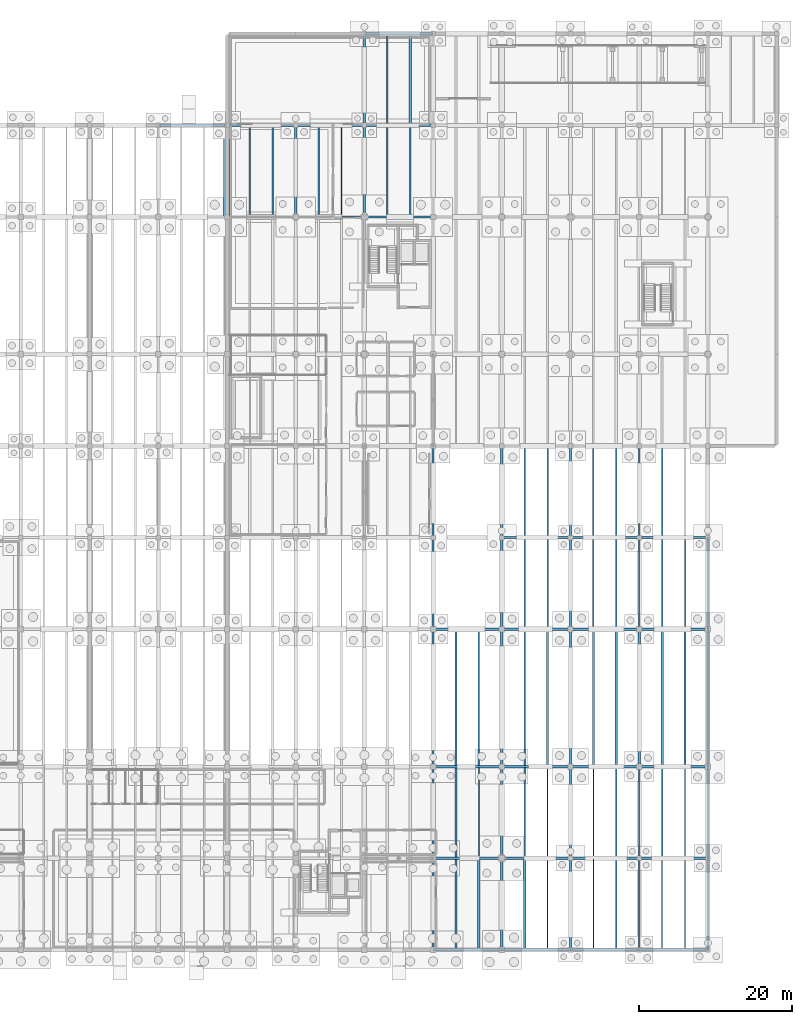
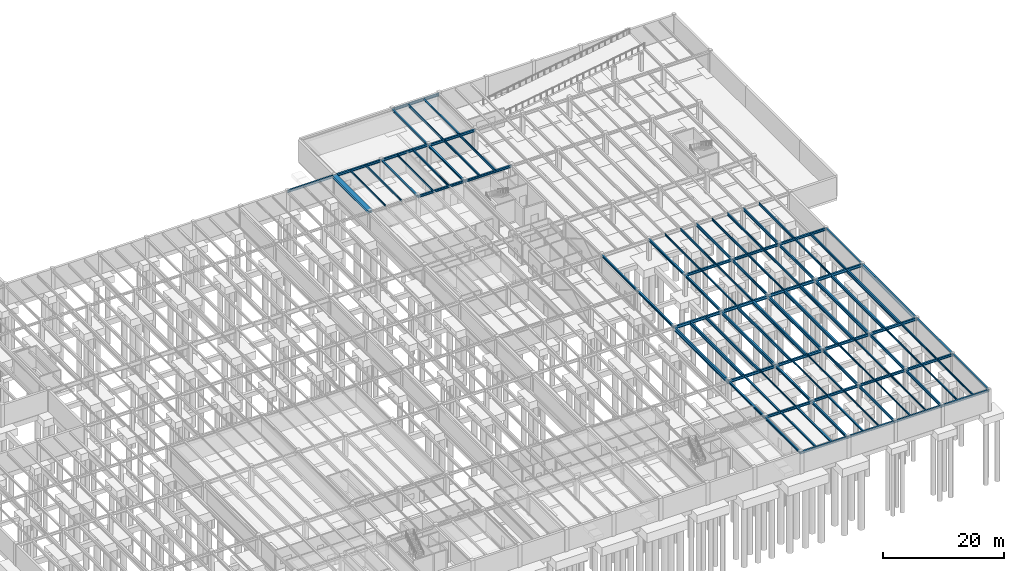
# One storey, part 19 of 40: 97 beams.
"""IFC4 building model written with IfcOpenShell, lengths in metres."""

from ifc_helpers import new_model, si_unit, direction, frame, origin, origin_2d, place, context, subcontext, project, spatial, i_section, extrude, material, material_profile, profile_set, type_object, element, save


model = new_model("IFC4")

# Units and contexts
model_context = context("Model", 3, precision=1e-05, world=origin(), true_north=direction((0.0, 1.0)))
body_context = subcontext(model_context, "Body", "Model", "MODEL_VIEW")
ifc_project = project(units=[si_unit("LENGTHUNIT", "METRE"), si_unit("AREAUNIT", "SQUARE_METRE"), si_unit("VOLUMEUNIT", "CUBIC_METRE"), si_unit("PLANEANGLEUNIT", "RADIAN"), si_unit("MASSUNIT", "GRAM", prefix="KILO")], contexts=[model_context])

# Site, building, storey
site_placement = place(None, origin())
site = spatial("IfcSite", under=ifc_project, at=site_placement, CompositionType="ELEMENT")
building_placement = place(site_placement, origin())
building = spatial("IfcBuilding", under=site, at=building_placement, Name="Montelvaro Courts of Justice", CompositionType="ELEMENT")
storey_placement = place(building_placement, frame((0.0, 0.0, -4.5)))
storey = spatial("IfcBuildingStorey", under=building, at=storey_placement, Name="B01", CompositionType="ELEMENT", Elevation=-4.5)

# Beams
ifc_material = material(Name="Steel S355", Category="steel")
ifc_material_profile_1 = material_profile(ifc_material, i_section(OverallWidth=0.280029296875, OverallDepth=0.27001953125, WebThickness=0.008056640625, FlangeThickness=0.012939453125, at=origin_2d()), Name="HEA 280")
ifc_profile_set_1 = profile_set([ifc_material_profile_1], Name="Steel S355")
beam_type_1 = type_object("IfcBeamType", Name="Beam_HEA280", PredefinedType="BEAM", material=ifc_profile_set_1)
for number, where, z_axis, x_axis, name in (
    (1, (123.0, 108.110107421875, 4.0048828125), (0.0, 1.0, 0.0), (-1.0, 0.0, 0.0), "Beam B-14 B01"),
    (2, (129.0, 0.110107421875, 4.044921875), (0.0, 1.0, 0.0), (-1.0, 0.0, 0.0), "Beam B-14 B01"),
):
    element("IfcBeam", number, at=place(storey_placement, frame(where, z_axis=z_axis, x_axis=x_axis)), inside=storey, type_object=beam_type_1, Name=name, PredefinedType="BEAM", context=body_context, shape_type="SweptSolid", body=[
        extrude(i_section(OverallWidth=0.280029296875, OverallDepth=0.27001953125, WebThickness=0.008056640625, FlangeThickness=0.012939453125, at=origin_2d()), origin(), (0.0, 0.0, 1.0), 11.77978515625),
    ])
ifc_material_profile_2 = material_profile(ifc_material, i_section(OverallWidth=0.300048828125, OverallDepth=0.31005859375, WebThickness=0.009033203125, FlangeThickness=0.015380859375, at=origin_2d()), Name="HEA 320")
ifc_profile_set_2 = profile_set([ifc_material_profile_2], Name="Steel S355")
beam_type_2 = type_object("IfcBeamType", Name="Beam_HEA320", PredefinedType="BEAM", material=ifc_profile_set_2)
for number, where, z_axis, x_axis, name in (
    (3, (132.0, 0.110107421875, 4.02490234375), (0.0, 1.0, 0.0), (-1.0, 0.0, 0.0), "Beam B-15 B01"),
    (4, (129.0, 12.110107421875, 4.02490234375), (0.0, 1.0, 0.0), (-1.0, 0.0, 0.0), "Beam B-15 B01"),
    (5, (138.0, 0.110107421875, 4.1650390625), (0.0, 1.0, 0.0), (-1.0, 0.0, 0.0), "Beam B-15 B01"),
):
    element("IfcBeam", number, at=place(storey_placement, frame(where, z_axis=z_axis, x_axis=x_axis)), inside=storey, type_object=beam_type_2, Name=name, PredefinedType="BEAM", context=body_context, shape_type="SweptSolid", body=[
        extrude(i_section(OverallWidth=0.300048828125, OverallDepth=0.31005859375, WebThickness=0.009033203125, FlangeThickness=0.015380859375, at=origin_2d()), origin(), (0.0, 0.0, 1.0), 11.77978515625),
    ])
ifc_material_profile_3 = material_profile(ifc_material, i_section(OverallWidth=0.300048828125, OverallDepth=0.35009765625, WebThickness=0.010009765625, FlangeThickness=0.017578125, at=origin_2d()), Name="HEA 360")
ifc_profile_set_3 = profile_set([ifc_material_profile_3], Name="Steel S355")
beam_type_3 = type_object("IfcBeamType", Name="Beam_HEA360", PredefinedType="USERDEFINED", material=ifc_profile_set_3)
for number, where, z_axis, x_axis, name in (
    (6, (108.0, 96.0, 4.14501953125), (0.0, 1.0, 0.0), (-1.0, 0.0, 0.0), "Beam B-16 B01"),
    (7, (162.0, 0.0, 4.14501953125), (0.0, 1.0, 0.0), (-1.0, 0.0, 0.0), "Beam B-16 B01"),
    (8, (162.0, 12.0, 4.14501953125), (0.0, 1.0, 0.0), (-1.0, 0.0, 0.0), "Beam B-16 B01"),
    (9, (162.0, 42.0, 4.14501953125), (0.0, 1.0, 0.0), (-1.0, 0.0, 0.0), "Beam B-16 B01"),
):
    element("IfcBeam", number, at=place(storey_placement, frame(where, z_axis=z_axis, x_axis=x_axis)), inside=storey, type_object=beam_type_3, Name=name, ObjectType="GIRDER", PredefinedType="USERDEFINED", context=body_context, shape_type="SweptSolid", body=[
        extrude(i_section(OverallWidth=0.300048828125, OverallDepth=0.35009765625, WebThickness=0.010009765625, FlangeThickness=0.017578125, at=origin_2d()), origin(), (0.0, 0.0, 1.0), 12.0),
    ])
ifc_material_profile_4 = material_profile(ifc_material, i_section(OverallWidth=0.300048828125, OverallDepth=0.389892578125, WebThickness=0.010986328125, FlangeThickness=0.01904296875, at=origin_2d()), Name="HEA 400")
ifc_profile_set_4 = profile_set([ifc_material_profile_4], Name="Steel S355")
beam_type_4 = type_object("IfcBeamType", Name="Beam_HEA400", PredefinedType="USERDEFINED", material=ifc_profile_set_4)
for number, where, z_axis, x_axis, name in (
    (10, (117.0, 96.0, 3.945068359375), (0.0, 1.0, 0.0), (-1.0, 0.0, 0.0), "Beam B-17 B01"),
    (11, (117.0, 108.0, 3.945068359375), (0.0, 1.0, 0.0), (-1.0, 0.0, 0.0), "Beam B-17 B01"),
):
    element("IfcBeam", number, at=place(storey_placement, frame(where, z_axis=z_axis, x_axis=x_axis)), inside=storey, type_object=beam_type_4, Name=name, ObjectType="GIRDER", PredefinedType="USERDEFINED", context=body_context, shape_type="SweptSolid", body=[
        extrude(i_section(OverallWidth=0.300048828125, OverallDepth=0.389892578125, WebThickness=0.010986328125, FlangeThickness=0.01904296875, at=origin_2d()), origin(), (0.0, 0.0, 1.0), 12.0),
    ])
ifc_material_profile_5 = material_profile(ifc_material, i_section(OverallWidth=0.300048828125, OverallDepth=0.43994140625, WebThickness=0.011474609375, FlangeThickness=0.02099609375, at=origin_2d()), Name="HEA 450")
ifc_profile_set_5 = profile_set([ifc_material_profile_5], Name="Steel S355")
beam_type_5 = type_object("IfcBeamType", Name="Beam_HEA450", PredefinedType="USERDEFINED", material=ifc_profile_set_5)
for number, where, z_axis, x_axis, name in (
    (12, (126.0, 0.0, 4.10009765625), (1.0, 0.0, 0.0), (0.0, 1.0, 0.0), "Beam B-18 B01"),
    (13, (135.0, 0.0, 4.10009765625), (1.0, 0.0, 0.0), (0.0, 1.0, 0.0), "Beam B-18 B01"),
    (14, (144.0, 0.0, 4.10009765625), (1.0, 0.0, 0.0), (0.0, 1.0, 0.0), "Beam B-18 B01"),
    (15, (153.0, 0.0, 4.10009765625), (1.0, 0.0, 0.0), (0.0, 1.0, 0.0), "Beam B-18 B01"),
    (16, (108.0, 96.0, 3.97998046875), (1.0, 0.0, 0.0), (0.0, 1.0, 0.0), "Beam B-18 B01"),
    (17, (117.0, 96.0, 3.919921875), (1.0, 0.0, 0.0), (0.0, 1.0, 0.0), "Beam B-18 B01"),
):
    element("IfcBeam", number, at=place(storey_placement, frame(where, z_axis=z_axis, x_axis=x_axis)), inside=storey, type_object=beam_type_5, Name=name, ObjectType="GIRDER", PredefinedType="USERDEFINED", context=body_context, shape_type="SweptSolid", body=[
        extrude(i_section(OverallWidth=0.300048828125, OverallDepth=0.43994140625, WebThickness=0.011474609375, FlangeThickness=0.02099609375, at=origin_2d()), origin(), (0.0, 0.0, 1.0), 9.0),
    ])
for number, where, z_axis, x_axis, name in (
    (18, (126.0, 0.0, 3.9599609375), (0.0, 1.0, 0.0), (-1.0, 0.0, 0.0), "Beam B-18 B01"),
    (19, (126.0, 12.0, 3.9599609375), (0.0, 1.0, 0.0), (-1.0, 0.0, 0.0), "Beam B-18 B01"),
    (20, (126.0, 42.0, 4.0), (0.0, 1.0, 0.0), (-1.0, 0.0, 0.0), "Beam B-18 B01"),
    (21, (126.0, 54.0, 4.0), (0.0, 1.0, 0.0), (-1.0, 0.0, 0.0), "Beam B-18 B01"),
):
    element("IfcBeam", number, at=place(storey_placement, frame(where, z_axis=z_axis, x_axis=x_axis)), inside=storey, type_object=beam_type_5, Name=name, ObjectType="GIRDER", PredefinedType="USERDEFINED", context=body_context, shape_type="SweptSolid", body=[
        extrude(i_section(OverallWidth=0.300048828125, OverallDepth=0.43994140625, WebThickness=0.011474609375, FlangeThickness=0.02099609375, at=origin_2d()), origin(), (0.0, 0.0, 1.0), 12.0),
    ])
ifc_material_profile_6 = material_profile(ifc_material, i_section(OverallWidth=0.300048828125, OverallDepth=0.489990234375, WebThickness=0.011962890625, FlangeThickness=0.02294921875, at=origin_2d()), Name="HEA 500")
ifc_profile_set_6 = profile_set([ifc_material_profile_6], Name="Steel S355")
beam_type_6 = type_object("IfcBeamType", Name="Beam_HEA500", PredefinedType="USERDEFINED", material=ifc_profile_set_6)
for number, where, z_axis, x_axis, name in (
    (22, (126.0, 12.0, 3.93505859375), (1.0, 0.0, 0.0), (0.0, 1.0, 0.0), "Beam B-19 B01"),
    (23, (135.0, 12.0, 4.074951171875), (1.0, 0.0, 0.0), (0.0, 1.0, 0.0), "Beam B-19 B01"),
    (24, (144.0, 12.0, 4.074951171875), (1.0, 0.0, 0.0), (0.0, 1.0, 0.0), "Beam B-19 B01"),
    (25, (153.0, 12.0, 4.074951171875), (1.0, 0.0, 0.0), (0.0, 1.0, 0.0), "Beam B-19 B01"),
):
    element("IfcBeam", number, at=place(storey_placement, frame(where, z_axis=z_axis, x_axis=x_axis)), inside=storey, type_object=beam_type_6, Name=name, ObjectType="GIRDER", PredefinedType="USERDEFINED", context=body_context, shape_type="SweptSolid", body=[
        extrude(i_section(OverallWidth=0.300048828125, OverallDepth=0.489990234375, WebThickness=0.011962890625, FlangeThickness=0.02294921875, at=origin_2d()), origin(), (0.0, 0.0, 1.0), 9.0),
    ])
for number, where, z_axis, x_axis, name in (
    (26, (90.0, 108.0, 4.074951171875), (1.0, 0.0, 0.0), (0.0, 1.0, 0.0), "Beam B-19 B01"),
    (27, (99.050048828125, 108.0, 4.074951171875), (1.0, 0.0, 0.0), (0.0, 1.0, 0.0), "Beam B-19 B01"),
):
    element("IfcBeam", number, at=place(storey_placement, frame(where, z_axis=z_axis, x_axis=x_axis)), inside=storey, type_object=beam_type_6, Name=name, ObjectType="GIRDER", PredefinedType="USERDEFINED", context=body_context, shape_type="SweptSolid", body=[
        extrude(i_section(OverallWidth=0.300048828125, OverallDepth=0.489990234375, WebThickness=0.011962890625, FlangeThickness=0.02294921875, at=origin_2d()), origin(), (0.0, 0.0, 1.0), 8.949951171875),
    ])
for number, where, z_axis, x_axis, name in (
    (28, (108.0, 108.0, 4.074951171875), (1.0, 0.0, 0.0), (0.0, 1.0, 0.0), "Beam B-19 B01"),
    (29, (117.0, 108.0, 3.89501953125), (1.0, 0.0, 0.0), (0.0, 1.0, 0.0), "Beam B-19 B01"),
):
    element("IfcBeam", number, at=place(storey_placement, frame(where, z_axis=z_axis, x_axis=x_axis)), inside=storey, type_object=beam_type_6, Name=name, ObjectType="GIRDER", PredefinedType="USERDEFINED", context=body_context, shape_type="SweptSolid", body=[
        extrude(i_section(OverallWidth=0.300048828125, OverallDepth=0.489990234375, WebThickness=0.011962890625, FlangeThickness=0.02294921875, at=origin_2d()), origin(), (0.0, 0.0, 1.0), 9.0),
    ])
for number, where, z_axis, x_axis, name in (
    (30, (135.0, 0.0, 3.93505859375), (0.0, 1.0, 0.0), (-1.0, 0.0, 0.0), "Beam B-19 B01"),
    (31, (135.0, 12.0, 3.93505859375), (0.0, 1.0, 0.0), (-1.0, 0.0, 0.0), "Beam B-19 B01"),
    (32, (135.0, 42.0, 4.074951171875), (0.0, 1.0, 0.0), (-1.0, 0.0, 0.0), "Beam B-19 B01"),
    (33, (135.0, 54.0, 4.074951171875), (0.0, 1.0, 0.0), (-1.0, 0.0, 0.0), "Beam B-19 B01"),
):
    element("IfcBeam", number, at=place(storey_placement, frame(where, z_axis=z_axis, x_axis=x_axis)), inside=storey, type_object=beam_type_6, Name=name, ObjectType="GIRDER", PredefinedType="USERDEFINED", context=body_context, shape_type="SweptSolid", body=[
        extrude(i_section(OverallWidth=0.300048828125, OverallDepth=0.489990234375, WebThickness=0.011962890625, FlangeThickness=0.02294921875, at=origin_2d()), origin(), (0.0, 0.0, 1.0), 12.0),
    ])
ifc_material_profile_7 = material_profile(ifc_material, i_section(OverallWidth=0.300048828125, OverallDepth=0.5400390625, WebThickness=0.012451171875, FlangeThickness=0.02392578125, at=origin_2d()), Name="HEA 550")
ifc_profile_set_7 = profile_set([ifc_material_profile_7], Name="Steel S355")
beam_type_7 = type_object("IfcBeamType", Name="Beam_HEA550", PredefinedType="USERDEFINED", material=ifc_profile_set_7)
for number, where, z_axis, x_axis, name in (
    (34, (126.0, 24.0, 3.909912109375), (1.0, 0.0, 0.0), (0.0, 1.0, 0.0), "Beam B-20 B01"),
    (35, (135.0, 24.0, 3.949951171875), (1.0, 0.0, 0.0), (0.0, 1.0, 0.0), "Beam B-20 B01"),
    (36, (144.0, 24.0, 4.050048828125), (1.0, 0.0, 0.0), (0.0, 1.0, 0.0), "Beam B-20 B01"),
    (37, (153.0, 24.0, 4.050048828125), (1.0, 0.0, 0.0), (0.0, 1.0, 0.0), "Beam B-20 B01"),
    (38, (117.0, 120.0, 3.8701171875), (1.0, 0.0, 0.0), (0.0, 1.0, 0.0), "Beam B-20 B01"),
):
    element("IfcBeam", number, at=place(storey_placement, frame(where, z_axis=z_axis, x_axis=x_axis)), inside=storey, type_object=beam_type_7, Name=name, ObjectType="GIRDER", PredefinedType="USERDEFINED", context=body_context, shape_type="SweptSolid", body=[
        extrude(i_section(OverallWidth=0.300048828125, OverallDepth=0.5400390625, WebThickness=0.012451171875, FlangeThickness=0.02392578125, at=origin_2d()), origin(), (0.0, 0.0, 1.0), 9.0),
    ])
ifc_material_profile_8 = material_profile(ifc_material, i_section(OverallWidth=0.300048828125, OverallDepth=0.590087890625, WebThickness=0.012939453125, FlangeThickness=0.02490234375, at=origin_2d()), Name="HEA 600")
ifc_profile_set_8 = profile_set([ifc_material_profile_8], Name="Steel S355")
beam_type_8 = type_object("IfcBeamType", Name="Beam_HEA600", PredefinedType="USERDEFINED", material=ifc_profile_set_8)
for number, where, z_axis, x_axis, name in (
    (39, (126.0, 42.0, 3.925048828125), (1.0, 0.0, 0.0), (0.0, 1.0, 0.0), "Beam B-21 B01"),
    (40, (135.0, 42.0, 3.925048828125), (1.0, 0.0, 0.0), (0.0, 1.0, 0.0), "Beam B-21 B01"),
    (41, (144.0, 42.0, 4.02490234375), (1.0, 0.0, 0.0), (0.0, 1.0, 0.0), "Beam B-21 B01"),
    (42, (153.0, 42.0, 4.02490234375), (1.0, 0.0, 0.0), (0.0, 1.0, 0.0), "Beam B-21 B01"),
):
    element("IfcBeam", number, at=place(storey_placement, frame(where, z_axis=z_axis, x_axis=x_axis)), inside=storey, type_object=beam_type_8, Name=name, ObjectType="GIRDER", PredefinedType="USERDEFINED", context=body_context, shape_type="SweptSolid", body=[
        extrude(i_section(OverallWidth=0.300048828125, OverallDepth=0.590087890625, WebThickness=0.012939453125, FlangeThickness=0.02490234375, at=origin_2d()), origin(), (0.0, 0.0, 1.0), 9.0),
    ])
ifc_material_profile_9 = material_profile(ifc_material, i_section(OverallWidth=0.300048828125, OverallDepth=0.639892578125, WebThickness=0.013427734375, FlangeThickness=0.02587890625, at=origin_2d()), Name="HEA 650")
ifc_profile_set_9 = profile_set([ifc_material_profile_9], Name="Steel S355")
beam_type_9 = type_object("IfcBeamType", Name="Beam_HEA650", PredefinedType="USERDEFINED", material=ifc_profile_set_9)
for number, where, z_axis, x_axis, name in (
    (43, (150.0, 24.110107421875, 4.0), (0.0, 1.0, 0.0), (-1.0, 0.0, 0.0), "Beam B-22 B01"),
    (44, (156.0, 24.110107421875, 4.0), (0.0, 1.0, 0.0), (-1.0, 0.0, 0.0), "Beam B-22 B01"),
):
    element("IfcBeam", number, at=place(storey_placement, frame(where, z_axis=z_axis, x_axis=x_axis)), inside=storey, type_object=beam_type_9, Name=name, ObjectType="GIRDER", PredefinedType="USERDEFINED", context=body_context, shape_type="SweptSolid", body=[
        extrude(i_section(OverallWidth=0.300048828125, OverallDepth=0.639892578125, WebThickness=0.013427734375, FlangeThickness=0.02587890625, at=origin_2d()), origin(), (0.0, 0.0, 1.0), 17.77978515625),
    ])
ifc_material_profile_10 = material_profile(ifc_material, i_section(OverallWidth=0.300048828125, OverallDepth=0.68994140625, WebThickness=0.014404296875, FlangeThickness=0.027099609375, at=origin_2d()), Name="HEA 700")
ifc_profile_set_10 = profile_set([ifc_material_profile_10], Name="Steel S355")
beam_type_10 = type_object("IfcBeamType", Name="Beam_HEA700", PredefinedType="USERDEFINED", material=ifc_profile_set_10)
beam_1_placement = place(storey_placement, frame((153.0, 24.0, 3.97509765625), z_axis=(0.0, 1.0, 0.0), x_axis=(-1.0, 0.0, 0.0)))
element("IfcBeam", 45, at=beam_1_placement, inside=storey, type_object=beam_type_10, Name="Beam B-23 B01", ObjectType="GIRDER", PredefinedType="USERDEFINED", context=body_context, shape_type="SweptSolid", body=[
    extrude(i_section(OverallWidth=0.300048828125, OverallDepth=0.68994140625, WebThickness=0.014404296875, FlangeThickness=0.027099609375, at=origin_2d()), origin(), (0.0, 0.0, 1.0), 18.0),
])
for number, where, z_axis, x_axis, name in (
    (46, (129.0, 24.110107421875, 3.875), (0.0, 1.0, 0.0), (-1.0, 0.0, 0.0), "Beam B-23 B01"),
    (47, (159.0, 24.110107421875, 3.97509765625), (0.0, 1.0, 0.0), (-1.0, 0.0, 0.0), "Beam B-23 B01"),
):
    element("IfcBeam", number, at=place(storey_placement, frame(where, z_axis=z_axis, x_axis=x_axis)), inside=storey, type_object=beam_type_10, Name=name, ObjectType="GIRDER", PredefinedType="USERDEFINED", context=body_context, shape_type="SweptSolid", body=[
        extrude(i_section(OverallWidth=0.300048828125, OverallDepth=0.68994140625, WebThickness=0.014404296875, FlangeThickness=0.027099609375, at=origin_2d()), origin(), (0.0, 0.0, 1.0), 17.77978515625),
    ])
ifc_material_profile_11 = material_profile(ifc_material, i_section(OverallWidth=0.300048828125, OverallDepth=0.7900390625, WebThickness=0.014892578125, FlangeThickness=0.028076171875, at=origin_2d()), Name="HEA 800")
ifc_profile_set_11 = profile_set([ifc_material_profile_11], Name="Steel S355")
beam_type_11 = type_object("IfcBeamType", Name="Beam_HEA800", PredefinedType="USERDEFINED", material=ifc_profile_set_11)
beam_2_placement = place(storey_placement, frame((162.0, 24.0, 3.925048828125), z_axis=(0.0, 1.0, 0.0), x_axis=(-1.0, 0.0, 0.0)))
element("IfcBeam", 48, at=beam_2_placement, inside=storey, type_object=beam_type_11, Name="Beam B-24 B01", ObjectType="GIRDER", PredefinedType="USERDEFINED", context=body_context, shape_type="SweptSolid", body=[
    extrude(i_section(OverallWidth=0.300048828125, OverallDepth=0.7900390625, WebThickness=0.014892578125, FlangeThickness=0.028076171875, at=origin_2d()), origin(), (0.0, 0.0, 1.0), 18.0),
])
ifc_material_profile_12 = material_profile(ifc_material, i_section(OverallWidth=0.300048828125, OverallDepth=0.5, WebThickness=0.014404296875, FlangeThickness=0.028076171875, at=origin_2d()), Name="HEB 500")
ifc_profile_set_12 = profile_set([ifc_material_profile_12], Name="Steel S355")
beam_type_12 = type_object("IfcBeamType", Name="Beam_HEB500", PredefinedType="USERDEFINED", material=ifc_profile_set_12)
for number, where, z_axis, x_axis, name in (
    (49, (135.0, 54.0, 4.070068359375), (1.0, 0.0, 0.0), (0.0, 1.0, 0.0), "Beam B-25 B01"),
    (50, (144.0, 54.0, 4.070068359375), (1.0, 0.0, 0.0), (0.0, 1.0, 0.0), "Beam B-25 B01"),
    (51, (153.0, 54.0, 4.070068359375), (1.0, 0.0, 0.0), (0.0, 1.0, 0.0), "Beam B-25 B01"),
):
    element("IfcBeam", number, at=place(storey_placement, frame(where, z_axis=z_axis, x_axis=x_axis)), inside=storey, type_object=beam_type_12, Name=name, ObjectType="GIRDER", PredefinedType="USERDEFINED", context=body_context, shape_type="SweptSolid", body=[
        extrude(i_section(OverallWidth=0.300048828125, OverallDepth=0.5, WebThickness=0.014404296875, FlangeThickness=0.028076171875, at=origin_2d()), origin(), (0.0, 0.0, 1.0), 9.0),
    ])
ifc_material_profile_13 = material_profile(ifc_material, i_section(OverallWidth=0.300048828125, OverallDepth=0.64990234375, WebThickness=0.01611328125, FlangeThickness=0.031005859375, at=origin_2d()), Name="HEB 650")
ifc_profile_set_13 = profile_set([ifc_material_profile_13], Name="Steel S355")
beam_type_13 = type_object("IfcBeamType", Name="Beam_HEB650", PredefinedType="USERDEFINED", material=ifc_profile_set_13)
beam_3_placement = place(storey_placement, frame((135.0, 24.0, 3.89501953125), z_axis=(0.0, 1.0, 0.0), x_axis=(-1.0, 0.0, 0.0)))
element("IfcBeam", 52, at=beam_3_placement, inside=storey, type_object=beam_type_13, Name="Beam B-27 B01", ObjectType="GIRDER", PredefinedType="USERDEFINED", context=body_context, shape_type="SweptSolid", body=[
    extrude(i_section(OverallWidth=0.300048828125, OverallDepth=0.64990234375, WebThickness=0.01611328125, FlangeThickness=0.031005859375, at=origin_2d()), origin(), (0.0, 0.0, 1.0), 18.0),
])
for number, where, z_axis, x_axis, name in (
    (53, (141.0, 24.110107421875, 3.89501953125), (0.0, 1.0, 0.0), (-1.0, 0.0, 0.0), "Beam B-27 B01"),
    (54, (147.0, 24.110107421875, 3.9951171875), (0.0, 1.0, 0.0), (-1.0, 0.0, 0.0), "Beam B-27 B01"),
):
    element("IfcBeam", number, at=place(storey_placement, frame(where, z_axis=z_axis, x_axis=x_axis)), inside=storey, type_object=beam_type_13, Name=name, ObjectType="GIRDER", PredefinedType="USERDEFINED", context=body_context, shape_type="SweptSolid", body=[
        extrude(i_section(OverallWidth=0.300048828125, OverallDepth=0.64990234375, WebThickness=0.01611328125, FlangeThickness=0.031005859375, at=origin_2d()), origin(), (0.0, 0.0, 1.0), 17.77978515625),
    ])
ifc_material_profile_14 = material_profile(ifc_material, i_section(OverallWidth=0.300048828125, OverallDepth=0.699951171875, WebThickness=0.01708984375, FlangeThickness=0.031982421875, at=origin_2d()), Name="HEB 700")
ifc_profile_set_14 = profile_set([ifc_material_profile_14], Name="Steel S355")
beam_type_14 = type_object("IfcBeamType", Name="Beam_HEB700", PredefinedType="USERDEFINED", material=ifc_profile_set_14)
beam_4_placement = place(storey_placement, frame((144.0, 24.0, 3.8701171875), z_axis=(0.0, 1.0, 0.0), x_axis=(-1.0, 0.0, 0.0)))
element("IfcBeam", 55, at=beam_4_placement, inside=storey, type_object=beam_type_14, Name="Beam B-28 B01", ObjectType="GIRDER", PredefinedType="USERDEFINED", context=body_context, shape_type="SweptSolid", body=[
    extrude(i_section(OverallWidth=0.300048828125, OverallDepth=0.699951171875, WebThickness=0.01708984375, FlangeThickness=0.031982421875, at=origin_2d()), origin(), (0.0, 0.0, 1.0), 18.0),
])
ifc_material_profile_15 = material_profile(ifc_material, i_section(OverallWidth=0.300048828125, OverallDepth=0.800048828125, WebThickness=0.017578125, FlangeThickness=0.032958984375, at=origin_2d()), Name="HEB 800")
ifc_profile_set_15 = profile_set([ifc_material_profile_15], Name="Steel S355")
beam_type_15 = type_object("IfcBeamType", Name="Beam_HEB800", PredefinedType="USERDEFINED", material=ifc_profile_set_15)
beam_5_placement = place(storey_placement, frame((126.0, 24.0, 3.820068359375), z_axis=(0.0, 1.0, 0.0), x_axis=(-1.0, 0.0, 0.0)))
element("IfcBeam", 56, at=beam_5_placement, inside=storey, type_object=beam_type_15, Name="Beam B-29 B01", ObjectType="GIRDER", PredefinedType="USERDEFINED", context=body_context, shape_type="SweptSolid", body=[
    extrude(i_section(OverallWidth=0.300048828125, OverallDepth=0.800048828125, WebThickness=0.017578125, FlangeThickness=0.032958984375, at=origin_2d()), origin(), (0.0, 0.0, 1.0), 18.0),
])
ifc_material_profile_16 = material_profile(ifc_material, i_section(OverallWidth=0.14990234375, OverallDepth=0.300048828125, WebThickness=0.007080078125, FlangeThickness=0.0107421875, at=origin_2d()), Name="IPE 300")
ifc_profile_set_16 = profile_set([ifc_material_profile_16], Name="Steel S355")
beam_type_16 = type_object("IfcBeamType", Name="Beam_IPE300", PredefinedType="BEAM", material=ifc_profile_set_16)
for number, where, z_axis, x_axis, name in (
    (57, (132.0, 12.110107421875, 4.030029296875), (0.0, 1.0, 0.0), (-1.0, 0.0, 0.0), "Beam B-05 B01"),
    (58, (141.0, 0.110107421875, 4.169921875), (0.0, 1.0, 0.0), (-1.0, 0.0, 0.0), "Beam B-05 B01"),
    (59, (138.0, 12.110107421875, 4.169921875), (0.0, 1.0, 0.0), (-1.0, 0.0, 0.0), "Beam B-05 B01"),
    (60, (147.0, 0.110107421875, 4.169921875), (0.0, 1.0, 0.0), (-1.0, 0.0, 0.0), "Beam B-05 B01"),
):
    element("IfcBeam", number, at=place(storey_placement, frame(where, z_axis=z_axis, x_axis=x_axis)), inside=storey, type_object=beam_type_16, Name=name, PredefinedType="BEAM", context=body_context, shape_type="SweptSolid", body=[
        extrude(i_section(OverallWidth=0.14990234375, OverallDepth=0.300048828125, WebThickness=0.007080078125, FlangeThickness=0.0107421875, at=origin_2d()), origin(), (0.0, 0.0, 1.0), 11.77978515625),
    ])
ifc_material_profile_17 = material_profile(ifc_material, i_section(OverallWidth=0.159912109375, OverallDepth=0.330078125, WebThickness=0.007568359375, FlangeThickness=0.011474609375, at=origin_2d()), Name="IPE 330")
ifc_profile_set_17 = profile_set([ifc_material_profile_17], Name="Steel S355")
beam_type_17 = type_object("IfcBeamType", Name="Beam_IPE330", PredefinedType="BEAM", material=ifc_profile_set_17)
for number, where, z_axis, x_axis, name in (
    (61, (141.0, 12.110107421875, 4.155029296875), (0.0, 1.0, 0.0), (-1.0, 0.0, 0.0), "Beam B-06 B01"),
    (62, (150.0, 0.110107421875, 4.155029296875), (0.0, 1.0, 0.0), (-1.0, 0.0, 0.0), "Beam B-06 B01"),
    (63, (147.0, 12.110107421875, 4.155029296875), (0.0, 1.0, 0.0), (-1.0, 0.0, 0.0), "Beam B-06 B01"),
    (64, (156.0, 0.110107421875, 4.155029296875), (0.0, 1.0, 0.0), (-1.0, 0.0, 0.0), "Beam B-06 B01"),
):
    element("IfcBeam", number, at=place(storey_placement, frame(where, z_axis=z_axis, x_axis=x_axis)), inside=storey, type_object=beam_type_17, Name=name, PredefinedType="BEAM", context=body_context, shape_type="SweptSolid", body=[
        extrude(i_section(OverallWidth=0.159912109375, OverallDepth=0.330078125, WebThickness=0.007568359375, FlangeThickness=0.011474609375, at=origin_2d()), origin(), (0.0, 0.0, 1.0), 11.77978515625),
    ])
ifc_material_profile_18 = material_profile(ifc_material, i_section(OverallWidth=0.169921875, OverallDepth=0.360107421875, WebThickness=0.008056640625, FlangeThickness=0.0126953125, at=origin_2d()), Name="IPE 360")
ifc_profile_set_18 = profile_set([ifc_material_profile_18], Name="Steel S355")
beam_type_18 = type_object("IfcBeamType", Name="Beam_IPE360", PredefinedType="BEAM", material=ifc_profile_set_18)
for number, where, z_axis, x_axis, name in (
    (65, (102.0, 96.110107421875, 4.139892578125), (0.0, 1.0, 0.0), (-1.0, 0.0, 0.0), "Beam B-07 B01"),
    (66, (138.0, 42.110107421875, 4.139892578125), (0.0, 1.0, 0.0), (-1.0, 0.0, 0.0), "Beam B-07 B01"),
    (67, (150.0, 12.110107421875, 4.139892578125), (0.0, 1.0, 0.0), (-1.0, 0.0, 0.0), "Beam B-07 B01"),
    (68, (159.0, 0.110107421875, 4.139892578125), (0.0, 1.0, 0.0), (-1.0, 0.0, 0.0), "Beam B-07 B01"),
    (69, (156.0, 12.110107421875, 4.139892578125), (0.0, 1.0, 0.0), (-1.0, 0.0, 0.0), "Beam B-07 B01"),
):
    element("IfcBeam", number, at=place(storey_placement, frame(where, z_axis=z_axis, x_axis=x_axis)), inside=storey, type_object=beam_type_18, Name=name, PredefinedType="BEAM", context=body_context, shape_type="SweptSolid", body=[
        extrude(i_section(OverallWidth=0.169921875, OverallDepth=0.360107421875, WebThickness=0.008056640625, FlangeThickness=0.0126953125, at=origin_2d()), origin(), (0.0, 0.0, 1.0), 11.77978515625),
    ])
ifc_material_profile_19 = material_profile(ifc_material, i_section(OverallWidth=0.179931640625, OverallDepth=0.39990234375, WebThickness=0.008544921875, FlangeThickness=0.013427734375, at=origin_2d()), Name="IPE 400")
ifc_profile_set_19 = profile_set([ifc_material_profile_19], Name="Steel S355")
beam_type_19 = type_object("IfcBeamType", Name="Beam_IPE400", PredefinedType="BEAM", material=ifc_profile_set_19)
for number, where, z_axis, x_axis, name in (
    (70, (105.0, 96.110107421875, 4.1201171875), (0.0, 1.0, 0.0), (-1.0, 0.0, 0.0), "Beam B-08 B01"),
    (71, (111.0, 96.110107421875, 4.1201171875), (0.0, 1.0, 0.0), (-1.0, 0.0, 0.0), "Beam B-08 B01"),
    (72, (141.0, 42.110107421875, 4.1201171875), (0.0, 1.0, 0.0), (-1.0, 0.0, 0.0), "Beam B-08 B01"),
    (73, (138.0, 54.110107421875, 4.1201171875), (0.0, 1.0, 0.0), (-1.0, 0.0, 0.0), "Beam B-08 B01"),
    (74, (147.0, 42.110107421875, 4.1201171875), (0.0, 1.0, 0.0), (-1.0, 0.0, 0.0), "Beam B-08 B01"),
    (75, (159.0, 12.110107421875, 4.1201171875), (0.0, 1.0, 0.0), (-1.0, 0.0, 0.0), "Beam B-08 B01"),
):
    element("IfcBeam", number, at=place(storey_placement, frame(where, z_axis=z_axis, x_axis=x_axis)), inside=storey, type_object=beam_type_19, Name=name, PredefinedType="BEAM", context=body_context, shape_type="SweptSolid", body=[
        extrude(i_section(OverallWidth=0.179931640625, OverallDepth=0.39990234375, WebThickness=0.008544921875, FlangeThickness=0.013427734375, at=origin_2d()), origin(), (0.0, 0.0, 1.0), 11.77978515625),
    ])
ifc_material_profile_20 = material_profile(ifc_material, i_section(OverallWidth=0.18994140625, OverallDepth=0.449951171875, WebThickness=0.009521484375, FlangeThickness=0.0146484375, at=origin_2d()), Name="IPE 450")
ifc_profile_set_20 = profile_set([ifc_material_profile_20], Name="Steel S355")
beam_type_20 = type_object("IfcBeamType", Name="Beam_IPE450", PredefinedType="BEAM", material=ifc_profile_set_20)
for number, where, z_axis, x_axis, name in (
    (76, (114.0, 96.110107421875, 4.094970703125), (0.0, 1.0, 0.0), (-1.0, 0.0, 0.0), "Beam B-09 B01"),
    (77, (120.0, 96.110107421875, 3.9150390625), (0.0, 1.0, 0.0), (-1.0, 0.0, 0.0), "Beam B-09 B01"),
    (78, (141.0, 54.110107421875, 4.094970703125), (0.0, 1.0, 0.0), (-1.0, 0.0, 0.0), "Beam B-09 B01"),
    (79, (150.0, 42.110107421875, 4.094970703125), (0.0, 1.0, 0.0), (-1.0, 0.0, 0.0), "Beam B-09 B01"),
    (80, (147.0, 54.110107421875, 4.094970703125), (0.0, 1.0, 0.0), (-1.0, 0.0, 0.0), "Beam B-09 B01"),
    (81, (156.0, 42.110107421875, 4.094970703125), (0.0, 1.0, 0.0), (-1.0, 0.0, 0.0), "Beam B-09 B01"),
):
    element("IfcBeam", number, at=place(storey_placement, frame(where, z_axis=z_axis, x_axis=x_axis)), inside=storey, type_object=beam_type_20, Name=name, PredefinedType="BEAM", context=body_context, shape_type="SweptSolid", body=[
        extrude(i_section(OverallWidth=0.18994140625, OverallDepth=0.449951171875, WebThickness=0.009521484375, FlangeThickness=0.0146484375, at=origin_2d()), origin(), (0.0, 0.0, 1.0), 11.77978515625),
    ])
ifc_material_profile_21 = material_profile(ifc_material, i_section(OverallWidth=0.199951171875, OverallDepth=0.5, WebThickness=0.01025390625, FlangeThickness=0.01611328125, at=origin_2d()), Name="IPE 500")
ifc_profile_set_21 = profile_set([ifc_material_profile_21], Name="Steel S355")
beam_type_21 = type_object("IfcBeamType", Name="Beam_IPE500", PredefinedType="BEAM", material=ifc_profile_set_21)
for number, where, z_axis, x_axis, name in (
    (82, (123.0, 96.110107421875, 3.889892578125), (0.0, 1.0, 0.0), (-1.0, 0.0, 0.0), "Beam B-10 B01"),
    (83, (120.0, 108.110107421875, 3.889892578125), (0.0, 1.0, 0.0), (-1.0, 0.0, 0.0), "Beam B-10 B01"),
    (84, (150.0, 54.110107421875, 4.070068359375), (0.0, 1.0, 0.0), (-1.0, 0.0, 0.0), "Beam B-10 B01"),
    (85, (159.0, 42.110107421875, 4.070068359375), (0.0, 1.0, 0.0), (-1.0, 0.0, 0.0), "Beam B-10 B01"),
    (86, (156.0, 54.110107421875, 4.070068359375), (0.0, 1.0, 0.0), (-1.0, 0.0, 0.0), "Beam B-10 B01"),
):
    element("IfcBeam", number, at=place(storey_placement, frame(where, z_axis=z_axis, x_axis=x_axis)), inside=storey, type_object=beam_type_21, Name=name, PredefinedType="BEAM", context=body_context, shape_type="SweptSolid", body=[
        extrude(i_section(OverallWidth=0.199951171875, OverallDepth=0.5, WebThickness=0.01025390625, FlangeThickness=0.01611328125, at=origin_2d()), origin(), (0.0, 0.0, 1.0), 11.77978515625),
    ])
ifc_material_profile_22 = material_profile(ifc_material, i_section(OverallWidth=0.2099609375, OverallDepth=0.550048828125, WebThickness=0.010986328125, FlangeThickness=0.01708984375, at=origin_2d()), Name="IPE 550")
ifc_profile_set_22 = profile_set([ifc_material_profile_22], Name="Steel S355")
beam_type_22 = type_object("IfcBeamType", Name="Beam_IPE550", PredefinedType="BEAM", material=ifc_profile_set_22)
for number, where, z_axis, x_axis, name in (
    (87, (144.0, 0.0, 4.044921875), (0.0, 1.0, 0.0), (-1.0, 0.0, 0.0), "Beam B-11 B01"),
    (88, (144.0, 12.0, 4.044921875), (0.0, 1.0, 0.0), (-1.0, 0.0, 0.0), "Beam B-11 B01"),
    (89, (144.0, 42.0, 4.044921875), (0.0, 1.0, 0.0), (-1.0, 0.0, 0.0), "Beam B-11 B01"),
    (90, (144.0, 54.0, 4.044921875), (0.0, 1.0, 0.0), (-1.0, 0.0, 0.0), "Beam B-11 B01"),
):
    element("IfcBeam", number, at=place(storey_placement, frame(where, z_axis=z_axis, x_axis=x_axis)), inside=storey, type_object=beam_type_22, Name=name, PredefinedType="BEAM", context=body_context, shape_type="SweptSolid", body=[
        extrude(i_section(OverallWidth=0.2099609375, OverallDepth=0.550048828125, WebThickness=0.010986328125, FlangeThickness=0.01708984375, at=origin_2d()), origin(), (0.0, 0.0, 1.0), 12.0),
    ])
ifc_material_profile_23 = material_profile(ifc_material, i_section(OverallWidth=0.219970703125, OverallDepth=0.60009765625, WebThickness=0.011962890625, FlangeThickness=0.01904296875, at=origin_2d()), Name="IPE 600")
ifc_profile_set_23 = profile_set([ifc_material_profile_23], Name="Steel S355")
beam_type_23 = type_object("IfcBeamType", Name="Beam_IPE600", PredefinedType="USERDEFINED", material=ifc_profile_set_23)
for number, where, z_axis, x_axis, name in (
    (91, (153.0, 0.0, 4.02001953125), (0.0, 1.0, 0.0), (-1.0, 0.0, 0.0), "Beam B-12 B01"),
    (92, (153.0, 12.0, 4.02001953125), (0.0, 1.0, 0.0), (-1.0, 0.0, 0.0), "Beam B-12 B01"),
    (93, (153.0, 42.0, 4.02001953125), (0.0, 1.0, 0.0), (-1.0, 0.0, 0.0), "Beam B-12 B01"),
    (94, (153.0, 54.0, 4.02001953125), (0.0, 1.0, 0.0), (-1.0, 0.0, 0.0), "Beam B-12 B01"),
):
    element("IfcBeam", number, at=place(storey_placement, frame(where, z_axis=z_axis, x_axis=x_axis)), inside=storey, type_object=beam_type_23, Name=name, ObjectType="GIRDER", PredefinedType="USERDEFINED", context=body_context, shape_type="SweptSolid", body=[
        extrude(i_section(OverallWidth=0.219970703125, OverallDepth=0.60009765625, WebThickness=0.011962890625, FlangeThickness=0.01904296875, at=origin_2d()), origin(), (0.0, 0.0, 1.0), 12.0),
    ])
for number, where, z_axis, x_axis, name in (
    (95, (132.0, 24.110107421875, 3.919921875), (0.0, 1.0, 0.0), (-1.0, 0.0, 0.0), "Beam B-12 B01"),
    (96, (138.0, 24.110107421875, 3.919921875), (0.0, 1.0, 0.0), (-1.0, 0.0, 0.0), "Beam B-12 B01"),
):
    element("IfcBeam", number, at=place(storey_placement, frame(where, z_axis=z_axis, x_axis=x_axis)), inside=storey, type_object=beam_type_23, Name=name, ObjectType="GIRDER", PredefinedType="USERDEFINED", context=body_context, shape_type="SweptSolid", body=[
        extrude(i_section(OverallWidth=0.219970703125, OverallDepth=0.60009765625, WebThickness=0.011962890625, FlangeThickness=0.01904296875, at=origin_2d()), origin(), (0.0, 0.0, 1.0), 17.77978515625),
    ])
ifc_material_profile_24 = material_profile(ifc_material, i_section(OverallWidth=0.860107421875, OverallDepth=0.47998046875, WebThickness=0.02001953125, FlangeThickness=0.031982421875, at=origin_2d()), Name="HL 480x860")
ifc_profile_set_24 = profile_set([ifc_material_profile_24], Name="Steel S355")
beam_type_24 = type_object("IfcBeamType", Name="Beam_MJSeat_860", PredefinedType="USERDEFINED", material=ifc_profile_set_24)
beam_6_placement = place(storey_placement, frame((99.0, 96.0, 4.080078125), z_axis=(0.0, 1.0, 0.0), x_axis=(-1.0, 0.0, 0.0)))
element("IfcBeam", 97, at=beam_6_placement, inside=storey, type_object=beam_type_24, Name="Beam BC-01 B01", ObjectType="GIRDER", PredefinedType="USERDEFINED", context=body_context, shape_type="SweptSolid", body=[
    extrude(i_section(OverallWidth=0.860107421875, OverallDepth=0.47998046875, WebThickness=0.02001953125, FlangeThickness=0.031982421875, at=origin_2d()), origin(), (0.0, 0.0, 1.0), 12.0),
])

save(model, "model.ifc")
